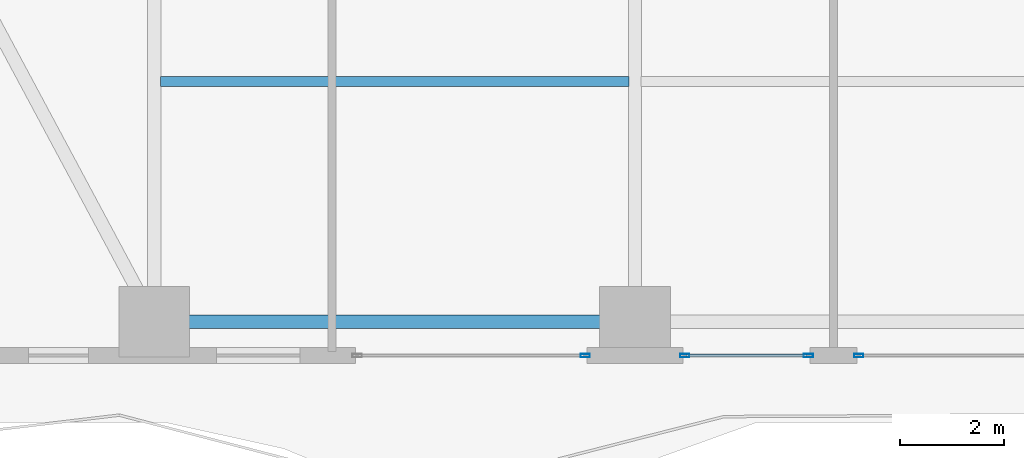
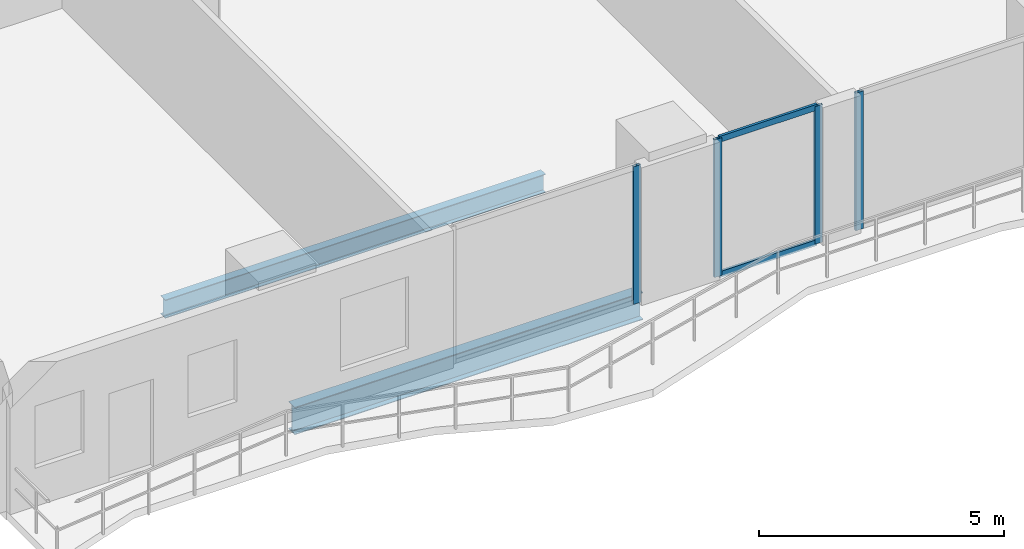
# One storey, part 4 of 28: 6 members, 2 beams, 3 elements without a shape of their own.
"""IFC4 building model written with IfcOpenShell, lengths in metres."""

from ifc_helpers import new_model, si_unit, direction, frame, origin, origin_2d, place, context, subcontext, project, spatial, hollow_rectangle, i_section, extrude, material, layer, layer_set, material_profile, profile_set, type_object, element, aggregate, save


model = new_model("IFC4")

# Units and contexts
model_context = context("Model", 3, precision=1e-05, world=origin(), true_north=direction((0.0, 1.0)))
body_context = subcontext(model_context, "Body", "Model", "MODEL_VIEW")
ifc_project = project(units=[si_unit("LENGTHUNIT", "METRE"), si_unit("AREAUNIT", "SQUARE_METRE"), si_unit("VOLUMEUNIT", "CUBIC_METRE"), si_unit("PLANEANGLEUNIT", "RADIAN"), si_unit("MASSUNIT", "GRAM", prefix="KILO")], contexts=[model_context])

# Site, building, storey
site_placement = place(None, origin())
site = spatial("IfcSite", under=ifc_project, at=site_placement, CompositionType="ELEMENT")
building_placement = place(site_placement, origin())
building = spatial("IfcBuilding", under=site, at=building_placement, Name="Zuhayl Quay Hotel", CompositionType="ELEMENT")
storey_placement = place(building_placement, frame((0.0, 0.0, 143.10009765625)))
storey = spatial("IfcBuildingStorey", under=building, at=storey_placement, Name="L36", CompositionType="ELEMENT", Elevation=143.10009765625)

# Beams
ifc_material_1 = material(Name="Steel ASTM A992 Grade 50", Category="steel")
ifc_material_profile_1 = material_profile(ifc_material_1, i_section(OverallWidth=0.25390625, OverallDepth=0.68310546875, WebThickness=0.012451171875, FlangeThickness=0.018798828125, at=origin_2d()), Name="W27X94")
ifc_profile_set_1 = profile_set([ifc_material_profile_1], Name="Steel ASTM A992 Grade 50")
beam_type_1 = type_object("IfcBeamType", Name="BM_B2_W27X94", PredefinedType="BEAM", material=ifc_profile_set_1)
beam_1_placement = place(storey_placement, frame((-13.300048828125, -14.75, -0.5615234375), z_axis=(1.0, 0.0, 0.0), x_axis=(0.0, 1.0, 0.0)))
element("IfcBeam", 1, at=beam_1_placement, inside=storey, type_object=beam_type_1, Name="L36 Floor Beam RG_L36_01", PredefinedType="BEAM", context=body_context, shape_type="SweptSolid", body=[
    extrude(i_section(OverallWidth=0.25390625, OverallDepth=0.68310546875, WebThickness=0.012451171875, FlangeThickness=0.018798828125, at=origin_2d()), origin(), (0.0, 0.0, 1.0), 8.199951171875),
])
ifc_material_profile_2 = material_profile(ifc_material_1, i_section(OverallWidth=0.18994140625, OverallDepth=0.45703125, WebThickness=0.009033203125, FlangeThickness=0.014404296875, at=origin_2d()), Name="W18X50")
ifc_profile_set_2 = profile_set([ifc_material_profile_2], Name="Steel ASTM A992 Grade 50")
beam_type_2 = type_object("IfcBeamType", Name="BM_J2_W18X50", PredefinedType="JOIST", material=ifc_profile_set_2)
beam_2_placement = place(storey_placement, frame((-13.680908203125, -10.14990234375, -0.448486328125), z_axis=(1.0, 0.0, 0.0), x_axis=(0.0, 1.0, 0.0)))
element("IfcBeam", 2, at=beam_2_placement, inside=storey, type_object=beam_type_2, Name="L36 Floor Beam FJ_L36_5_1", PredefinedType="JOIST", context=body_context, shape_type="SweptSolid", body=[
    extrude(i_section(OverallWidth=0.18994140625, OverallDepth=0.45703125, WebThickness=0.009033203125, FlangeThickness=0.014404296875, at=origin_2d()), origin(), (0.0, 0.0, 1.0), 8.9619140625),
])

# Curtain wall, member
ifc_material_2 = material(Name="Anodised Aluminium 6063-T6", Category="aluminium")
ifc_layer = layer(ifc_material_2, 0.179931640625, Name="Anodised Aluminium 6063-T6", Category="aluminium")
ifc_layer_set = layer_set([ifc_layer], Name="Anodised Aluminium 6063-T6")
curtain_wall_type = type_object("IfcCurtainWallType", Name="CW_SYS_Z2", PredefinedType="USERDEFINED", material=ifc_layer_set)
curtain_wall_1_placement = place(storey_placement, origin())
curtain_wall_1 = element("IfcCurtainWall", 3, at=curtain_wall_1_placement, inside=storey, type_object=curtain_wall_type, Name="L36 Curtain Wall ENV_L36_S_CW4", ObjectType="UNITISED CURTAIN WALL", PredefinedType="USERDEFINED")
ifc_material_3 = material(Name="Black-anodised aluminium 6063-T6", Category="aluminium")
ifc_material_profile_3 = material_profile(ifc_material_3, hollow_rectangle(XDim=0.06494140625, YDim=0.179931640625, WallThickness=0.00341796875, at=origin_2d()), Name="ALU180X65")
ifc_profile_set_3 = profile_set([ifc_material_profile_3], Name="Black-anodised aluminium 6063-T6")
member_type_1 = type_object("IfcMemberType", Name="MB_CW_MUL_180", PredefinedType="MULLION", material=ifc_profile_set_3)
member_1_placement = place(storey_placement, frame((-0.3173828125, -15.39990234375, 0.0), z_axis=(0.0, 0.0, 1.0), x_axis=(0.0, -1.0, 0.0)))
member_1 = element("IfcMember", 4, at=member_1_placement, type_object=member_type_1, Name="CW-Z2 mullion 2", PredefinedType="MULLION", context=body_context, shape_type="SweptSolid", body=[
    extrude(hollow_rectangle(XDim=0.06494140625, YDim=0.179931640625, WallThickness=0.00341796875, at=origin_2d()), origin(), (0.0, 0.0, 1.0), 3.429931640625),
])
aggregate(curtain_wall_1, [member_1])

# Curtain wall, members
curtain_wall_2_placement = place(storey_placement, origin())
curtain_wall_2 = element("IfcCurtainWall", 5, at=curtain_wall_2_placement, inside=storey, type_object=curtain_wall_type, Name="L36 Curtain Wall ENV_L36_S_CW5", ObjectType="UNITISED CURTAIN WALL", PredefinedType="USERDEFINED")
member_2_placement = place(storey_placement, frame((-1.282470703125, -15.39990234375, 0.0), z_axis=(0.0, 0.0, 1.0), x_axis=(0.0, -1.0, 0.0)))
member_2 = element("IfcMember", 6, at=member_2_placement, type_object=member_type_1, Name="CW-Z2 mullion 1", PredefinedType="MULLION", context=body_context, shape_type="SweptSolid", body=[
    extrude(hollow_rectangle(XDim=0.06494140625, YDim=0.179931640625, WallThickness=0.00341796875, at=origin_2d()), origin(), (0.0, 0.0, 1.0), 3.429931640625),
])
member_3_placement = place(storey_placement, frame((-3.6474609375, -15.39990234375, 0.0), z_axis=(0.0, 0.0, 1.0), x_axis=(0.0, -1.0, 0.0)))
member_3 = element("IfcMember", 7, at=member_3_placement, type_object=member_type_1, Name="CW-Z2 mullion 2", PredefinedType="MULLION", context=body_context, shape_type="SweptSolid", body=[
    extrude(hollow_rectangle(XDim=0.06494140625, YDim=0.179931640625, WallThickness=0.00341796875, at=origin_2d()), origin(), (0.0, 0.0, 1.0), 3.429931640625),
])

# Curtain wall, member
curtain_wall_3_placement = place(storey_placement, origin())
curtain_wall_3 = element("IfcCurtainWall", 8, at=curtain_wall_3_placement, inside=storey, type_object=curtain_wall_type, Name="L36 Curtain Wall ENV_L36_S_CW6", ObjectType="UNITISED CURTAIN WALL", PredefinedType="USERDEFINED")
member_4_placement = place(storey_placement, frame((-5.552490234375, -15.39990234375, 0.0), z_axis=(0.0, 0.0, 1.0), x_axis=(0.0, -1.0, 0.0)))
member_4 = element("IfcMember", 9, at=member_4_placement, type_object=member_type_1, Name="CW-Z2 mullion 1", PredefinedType="MULLION", context=body_context, shape_type="SweptSolid", body=[
    extrude(hollow_rectangle(XDim=0.06494140625, YDim=0.179931640625, WallThickness=0.00341796875, at=origin_2d()), origin(), (0.0, 0.0, 1.0), 3.429931640625),
])
aggregate(curtain_wall_3, [member_4])

# Member
ifc_material_profile_4 = material_profile(ifc_material_3, hollow_rectangle(XDim=0.06005859375, YDim=0.14990234375, WallThickness=0.00341796875, at=origin_2d()), Name="ALU150X60")
ifc_profile_set_4 = profile_set([ifc_material_profile_4], Name="Black-anodised aluminium 6063-T6")
member_type_2 = type_object("IfcMemberType", Name="MB_CW_TRN_150", PredefinedType="USERDEFINED", material=ifc_profile_set_4)
member_5_placement = place(storey_placement, frame((-1.31494140625, -15.39990234375, 0.02978515625), z_axis=(-1.0, 0.0, 0.0), x_axis=(0.0, -1.0, 0.0)))
member_5 = element("IfcMember", 10, at=member_5_placement, type_object=member_type_2, Name="CW-Z2 transom 1.1", ObjectType="TRANSOM", PredefinedType="USERDEFINED", context=body_context, shape_type="SweptSolid", body=[
    extrude(hollow_rectangle(XDim=0.06005859375, YDim=0.14990234375, WallThickness=0.00341796875, at=origin_2d()), origin(), (0.0, 0.0, 1.0), 2.300048828125),
])

member_6_placement = place(storey_placement, frame((-1.31494140625, -15.39990234375, 3.39990234375), z_axis=(-1.0, 0.0, 0.0), x_axis=(0.0, -1.0, 0.0)))
member_6 = element("IfcMember", 11, at=member_6_placement, type_object=member_type_2, Name="CW-Z2 transom 1.2", ObjectType="TRANSOM", PredefinedType="USERDEFINED", context=body_context, shape_type="SweptSolid", body=[
    extrude(hollow_rectangle(XDim=0.06005859375, YDim=0.14990234375, WallThickness=0.00341796875, at=origin_2d()), origin(), (0.0, 0.0, 1.0), 2.300048828125),
])

aggregate(curtain_wall_2, [member_2, member_3, member_5, member_6])

save(model, "model.ifc")
